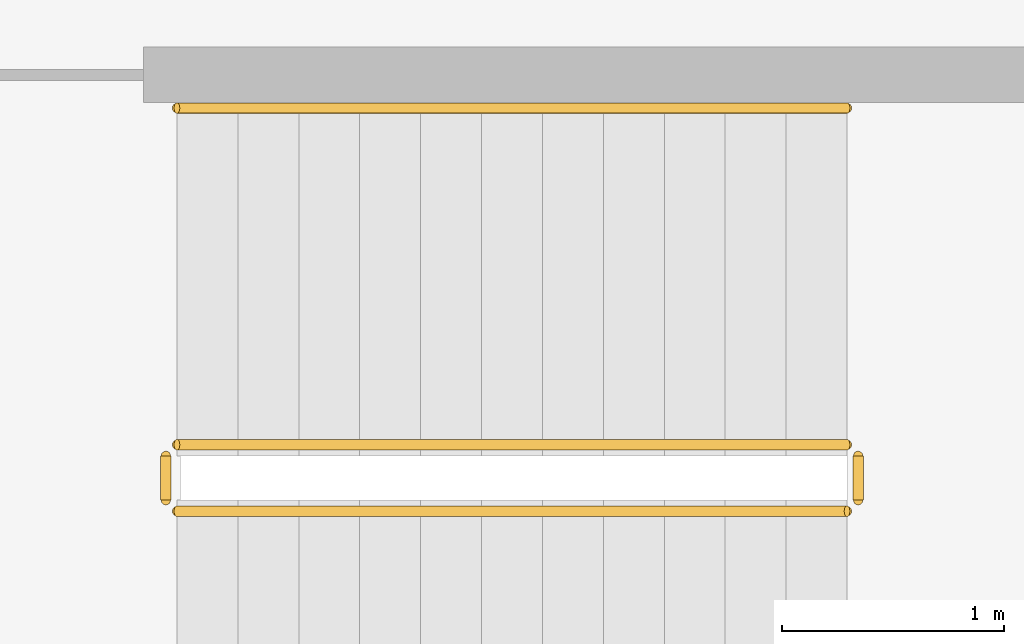
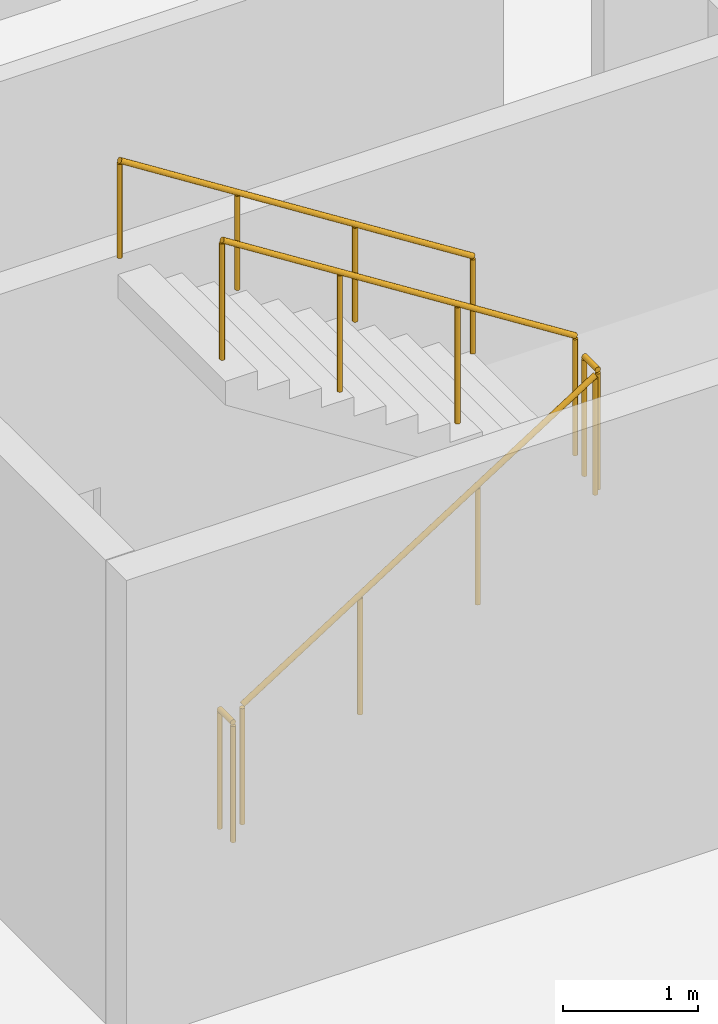
# One storey, part 45 of 48: 5 railings.
"""IFC4 building model written with IfcOpenShell, lengths in metres."""

from ifc_helpers import new_model, si_unit, direction, frame, origin, origin_2d, place, context, subcontext, project, spatial, circle, extrude, material, type_object, element, save


model = new_model("IFC4")

# Units and contexts
model_context = context("Model", 3, precision=1e-05, world=origin(), true_north=direction((0.0, 1.0)))
body_context = subcontext(model_context, "Body", "Model", "MODEL_VIEW")
ifc_project = project(units=[si_unit("LENGTHUNIT", "METRE"), si_unit("AREAUNIT", "SQUARE_METRE"), si_unit("VOLUMEUNIT", "CUBIC_METRE"), si_unit("PLANEANGLEUNIT", "RADIAN"), si_unit("MASSUNIT", "GRAM", prefix="KILO")], contexts=[model_context])

# Site, building, storey
site_placement = place(None, origin())
site = spatial("IfcSite", under=ifc_project, at=site_placement, CompositionType="ELEMENT")
building_placement = place(site_placement, origin())
building = spatial("IfcBuilding", under=site, at=building_placement, Name="Jelvoka-Kovrelna Polytechnic", CompositionType="ELEMENT")
storey_placement = place(building_placement, frame((0.0, 0.0, 22.199951171875)))
storey = spatial("IfcBuildingStorey", under=building, at=storey_placement, Name="L06", CompositionType="ELEMENT", Elevation=22.199951171875)

# Railings
ifc_material_1 = material(Name="Powder-coated steel stair guard", Category="steel")
railing_type_1 = type_object("IfcRailingType", Name="Railing_Stair_Guard_1100", PredefinedType="GUARDRAIL", material=ifc_material_1)
railing_1_placement = place(storey_placement, frame((82.25, 61.77001953125, 0.175048828125)))
element("IfcRailing", 1, at=railing_1_placement, inside=storey, type_object=railing_type_1, Name="L06 ST09 stair guard 1", PredefinedType="GUARDRAIL", context=body_context, shape_type="SweptSolid", body=[
    extrude(circle(Radius=0.02392578125, at=origin_2d()), frame((0.0, 0.0, 1.076171875), z_axis=(0.84364746871, 0.0, 0.536897521451), x_axis=(0.0, 1.0, 0.0)), (0.0, 0.0, 1.0), 3.58544921875),
    extrude(circle(Radius=0.02099609375, at=origin_2d()), origin(), (0.0, 0.0, 1.0), 1.052001953125),
    extrude(circle(Radius=0.02099609375, at=origin_2d()), frame((1.00830078125, 0.0, 0.6416015625)), (0.0, 0.0, 1.0), 1.052001953125),
    extrude(circle(Radius=0.02099609375, at=origin_2d()), frame((2.0166015625, 0.0, 1.283447265625)), (0.0, 0.0, 1.0), 1.052001953125),
    extrude(circle(Radius=0.02099609375, at=origin_2d()), frame((3.02490234375, 0.0, 1.925048828125)), (0.0, 0.0, 1.0), 1.052001953125),
])
railing_2_placement = place(storey_placement, frame((85.324951171875, 61.820068359375, 2.10009765625)))
element("IfcRailing", 2, at=railing_2_placement, inside=storey, type_object=railing_type_1, Name="L06 ST09 stair guard 2", PredefinedType="GUARDRAIL", context=body_context, shape_type="SweptSolid", body=[
    extrude(circle(Radius=0.02392578125, at=origin_2d()), frame((0.0, 0.0, 1.076171875), z_axis=(0.0, 1.0, 0.0), x_axis=(-1.0, 0.0, 0.0)), (0.0, 0.0, 1.0), 0.199951171875),
    extrude(circle(Radius=0.02099609375, at=origin_2d()), origin(), (0.0, 0.0, 1.0), 1.052001953125),
    extrude(circle(Radius=0.02099609375, at=origin_2d()), frame((0.0, 0.199951171875, 0.0)), (0.0, 0.0, 1.0), 1.052001953125),
])
railing_3_placement = place(storey_placement, frame((85.27490234375, 62.070068359375, 2.275146484375)))
element("IfcRailing", 3, at=railing_3_placement, inside=storey, type_object=railing_type_1, Name="L06 ST09 stair guard 3", PredefinedType="GUARDRAIL", context=body_context, shape_type="SweptSolid", body=[
    extrude(circle(Radius=0.02392578125, at=origin_2d()), frame((0.0, 0.0, 1.076171875), z_axis=(-0.843678310415, 0.0, 0.536849055634), x_axis=(0.0, -1.0, 0.0)), (0.0, 0.0, 1.0), 3.58544921875),
    extrude(circle(Radius=0.02099609375, at=origin_2d()), origin(), (0.0, 0.0, 1.0), 1.052001953125),
    extrude(circle(Radius=0.02099609375, at=origin_2d()), frame((-1.00830078125, 0.0, 0.6416015625)), (0.0, 0.0, 1.0), 1.052001953125),
    extrude(circle(Radius=0.02099609375, at=origin_2d()), frame((-2.0166015625, 0.0, 1.283203125)), (0.0, 0.0, 1.0), 1.052001953125),
    extrude(circle(Radius=0.02099609375, at=origin_2d()), frame((-3.02490234375, 0.0, 1.9248046875)), (0.0, 0.0, 1.0), 1.052001953125),
])
railing_4_placement = place(storey_placement, frame((82.199951171875, 61.820068359375, 0.0)))
element("IfcRailing", 4, at=railing_4_placement, inside=storey, type_object=railing_type_1, Name="L06 ST09 stair guard 4", PredefinedType="GUARDRAIL", context=body_context, shape_type="SweptSolid", body=[
    extrude(circle(Radius=0.02392578125, at=origin_2d()), frame((0.0, 0.0, 1.076171875), z_axis=(0.0, 1.0, 0.0), x_axis=(-1.0, 0.0, 0.0)), (0.0, 0.0, 1.0), 0.199951171875),
    extrude(circle(Radius=0.02099609375, at=origin_2d()), origin(), (0.0, 0.0, 1.0), 1.052001953125),
    extrude(circle(Radius=0.02099609375, at=origin_2d()), frame((0.0, 0.199951171875, 0.0)), (0.0, 0.0, 1.0), 1.052001953125),
])
ifc_material_2 = material(Name="Brushed stainless steel handrail", Category="steel")
railing_type_2 = type_object("IfcRailingType", Name="Railing_Stair_Handrail_900", PredefinedType="HANDRAIL", material=ifc_material_2)
railing_5_placement = place(storey_placement, frame((85.27490234375, 63.590087890625, 2.275146484375)))
element("IfcRailing", 5, at=railing_5_placement, inside=storey, type_object=railing_type_2, Name="L06 ST09 stair handrail 2", PredefinedType="HANDRAIL", context=body_context, shape_type="SweptSolid", body=[
    extrude(circle(Radius=0.02392578125, at=origin_2d()), frame((0.0, 0.0, 0.8759765625), z_axis=(-0.843678310415, 0.0, 0.536849055634), x_axis=(0.0, -1.0, 0.0)), (0.0, 0.0, 1.0), 3.58544921875),
    extrude(circle(Radius=0.02099609375, at=origin_2d()), origin(), (0.0, 0.0, 1.0), 0.851806640625),
    extrude(circle(Radius=0.02099609375, at=origin_2d()), frame((-1.00830078125, 0.0, 0.6416015625)), (0.0, 0.0, 1.0), 0.851806640625),
    extrude(circle(Radius=0.02099609375, at=origin_2d()), frame((-2.0166015625, 0.0, 1.283203125)), (0.0, 0.0, 1.0), 0.851806640625),
    extrude(circle(Radius=0.02099609375, at=origin_2d()), frame((-3.02490234375, 0.0, 1.9248046875)), (0.0, 0.0, 1.0), 0.851806640625),
])

save(model, "model.ifc")
